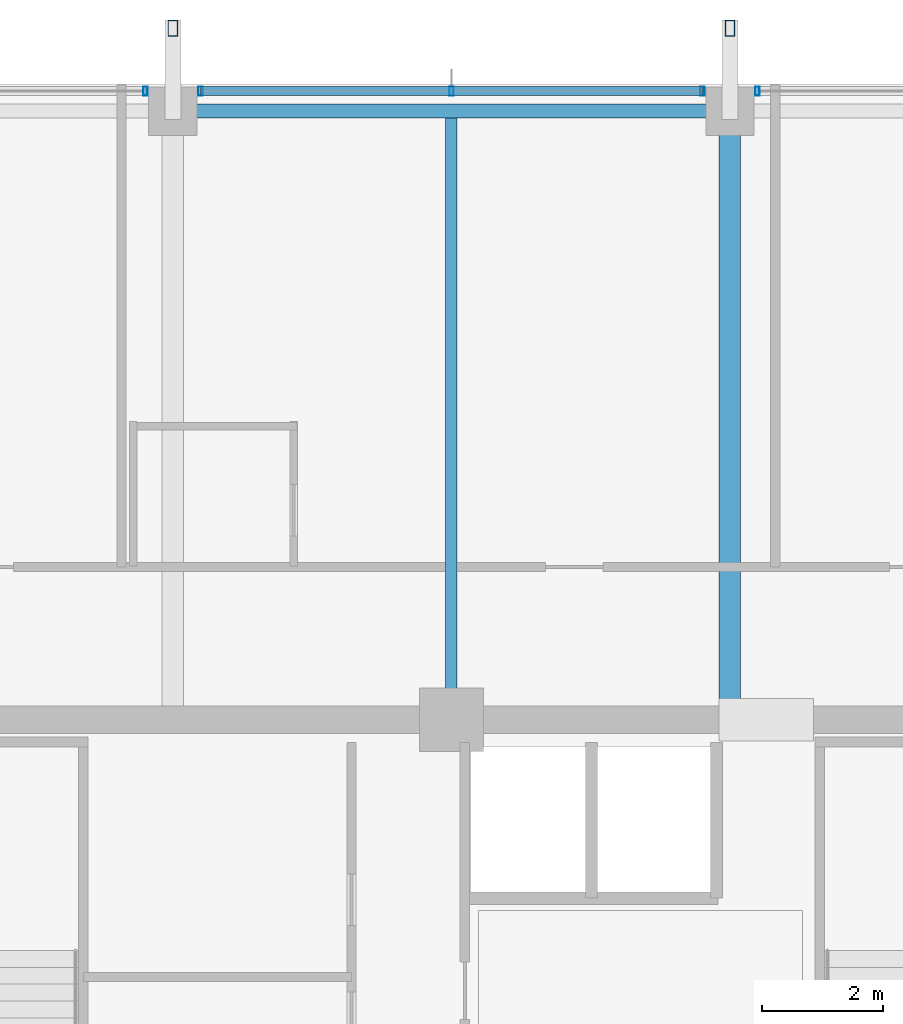
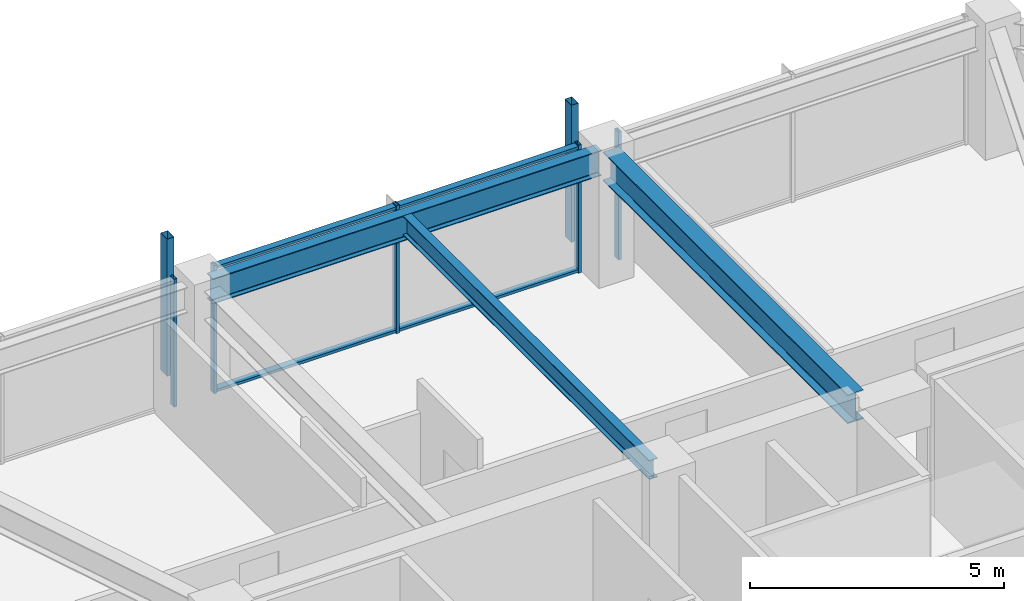
# One storey, part 17 of 33: 9 members, 3 beams, 3 elements without a shape of their own.
"""IFC4 building model written with IfcOpenShell, lengths in metres."""

from ifc_helpers import new_model, si_unit, direction, frame, origin, origin_2d, place, context, subcontext, project, spatial, hollow_rectangle, i_section, extrude, material, material_profile, profile_set, type_object, element, aggregate, save


model = new_model("IFC4")

# Units and contexts
model_context = context("Model", 3, precision=1e-05, world=origin(), true_north=direction((0.0, 1.0)))
body_context = subcontext(model_context, "Body", "Model", "MODEL_VIEW")
ifc_project = project(units=[si_unit("LENGTHUNIT", "METRE"), si_unit("AREAUNIT", "SQUARE_METRE"), si_unit("VOLUMEUNIT", "CUBIC_METRE"), si_unit("PLANEANGLEUNIT", "RADIAN"), si_unit("MASSUNIT", "GRAM", prefix="KILO")], contexts=[model_context])

# Site, building, storey
site_placement = place(None, origin())
site = spatial("IfcSite", under=ifc_project, at=site_placement, CompositionType="ELEMENT")
building_placement = place(site_placement, origin())
building = spatial("IfcBuilding", under=site, at=building_placement, Name="Kolvaren Belvedere", CompositionType="ELEMENT")
storey_placement = place(building_placement, frame((0.0, 0.0, 209.699951171875)))
storey = spatial("IfcBuildingStorey", under=building, at=storey_placement, Name="L61", CompositionType="ELEMENT", Elevation=209.699951171875)

# Beams
ifc_material_1 = material(Name="Structural steel ASTM A992 Grade 50", Category="steel")
ifc_material_profile_1 = material_profile(ifc_material_1, i_section(OverallWidth=0.35498046875, OverallDepth=0.696044921875, WebThickness=0.015380859375, FlangeThickness=0.02490234375, FilletRadius=0.02197265625, at=origin_2d()), Name="W27X146")
ifc_profile_set_1 = profile_set([ifc_material_profile_1], Name="Structural steel ASTM A992 Grade 50")
beam_type_1 = type_object("IfcBeamType", Name="BM-GIRD-W27X146", PredefinedType="BEAM", material=ifc_profile_set_1)
beam_1_placement = place(storey_placement, frame((4.60009765625, 10.125, 2.73193359375), z_axis=(0.0, 1.0, 0.0), x_axis=(-1.0, 0.0, 0.0)))
element("IfcBeam", 1, at=beam_1_placement, inside=storey, type_object=beam_type_1, Name="L61 North Radial Girder P", PredefinedType="BEAM", context=body_context, shape_type="SweptSolid", body=[
    extrude(i_section(OverallWidth=0.35498046875, OverallDepth=0.696044921875, WebThickness=0.015380859375, FlangeThickness=0.02490234375, FilletRadius=0.02197265625, at=origin_2d()), origin(), (0.0, 0.0, 1.0), 9.64501953125),
])
ifc_material_2 = material(Name="Structural steel ASTM A992 Grade 50", Category="steel")
ifc_material_profile_2 = material_profile(ifc_material_2, i_section(OverallWidth=0.19091796875, OverallDepth=0.4599609375, WebThickness=0.010009765625, FlangeThickness=0.01611328125, FilletRadius=0.014892578125, at=origin_2d()), Name="W18X55")
ifc_profile_set_2 = profile_set([ifc_material_profile_2], Name="Structural steel ASTM A992 Grade 50")
beam_type_2 = type_object("IfcBeamType", Name="BM-JOIST-W18X55", PredefinedType="BEAM", material=ifc_profile_set_2)
beam_2_placement = place(storey_placement, frame((0.0, 10.125, 2.85009765625), z_axis=(0.0, 1.0, 0.0), x_axis=(-1.0, 0.0, 0.0)))
element("IfcBeam", 2, at=beam_2_placement, inside=storey, type_object=beam_type_2, Name="L61 North Centre Floor Beam", PredefinedType="BEAM", context=body_context, shape_type="SweptSolid", body=[
    extrude(i_section(OverallWidth=0.19091796875, OverallDepth=0.4599609375, WebThickness=0.010009765625, FlangeThickness=0.01611328125, FilletRadius=0.014892578125, at=origin_2d()), origin(), (0.0, 0.0, 1.0), 9.71044921875),
])
ifc_material_3 = material(Name="Structural steel ASTM A992 Grade 50", Category="steel")
ifc_material_profile_3 = material_profile(ifc_material_3, i_section(OverallWidth=0.22900390625, OverallDepth=0.612060546875, WebThickness=0.011962890625, FlangeThickness=0.01953125, FilletRadius=0.01806640625, at=origin_2d()), Name="W24X84")
ifc_profile_set_3 = profile_set([ifc_material_profile_3], Name="Structural steel ASTM A992 Grade 50")
beam_type_3 = type_object("IfcBeamType", Name="BM-SPAN-W24X84", PredefinedType="SPANDREL", material=ifc_profile_set_3)
beam_3_placement = place(storey_placement, frame((4.419921875, 19.949951171875, 2.774169921875), z_axis=(-1.0, 0.0, 0.0), x_axis=(0.0, -1.0, 0.0)))
element("IfcBeam", 3, at=beam_3_placement, inside=storey, type_object=beam_type_3, Name="L61 Perimeter Spandrel N3-N2", PredefinedType="SPANDREL", context=body_context, shape_type="SweptSolid", body=[
    extrude(i_section(OverallWidth=0.22900390625, OverallDepth=0.612060546875, WebThickness=0.011962890625, FlangeThickness=0.01953125, FilletRadius=0.01806640625, at=origin_2d()), origin(), (0.0, 0.0, 1.0), 8.83984375),
])

# Curtain wall, member
ifc_material_4 = material(Name="Anodised pale-metal aluminium AA 6063-T6", Category="aluminium")
curtain_wall_type = type_object("IfcCurtainWallType", Name="CW-Z5-HIGH", PredefinedType="NOTDEFINED", material=ifc_material_4)
curtain_wall_1_placement = place(storey_placement, origin())
curtain_wall_1 = element("IfcCurtainWall", 4, at=curtain_wall_1_placement, inside=storey, type_object=curtain_wall_type, Name="L61 Unitised Curtain Wall FCW-L61-N-B1", PredefinedType="NOTDEFINED")
ifc_material_5 = material(Name="Anodised pale-metal aluminium AA 6063-T6", Category="aluminium")
ifc_material_profile_4 = material_profile(ifc_material_5, hollow_rectangle(XDim=0.070068359375, YDim=0.14990234375, WallThickness=0.004150390625, at=origin_2d()), Name="ALU-MUL-150X70")
ifc_profile_set_4 = profile_set([ifc_material_profile_4], Name="Anodised pale-metal aluminium AA 6063-T6")
member_type_1 = type_object("IfcMemberType", Name="CW-MUL-150", PredefinedType="MULLION", material=ifc_profile_set_4)
member_1_placement = place(storey_placement, frame((-5.054931640625, 20.280029296875, 0.0), z_axis=(0.0, 0.0, 1.0), x_axis=(1.0, 0.0, 0.0)))
member_1 = element("IfcMember", 5, at=member_1_placement, type_object=member_type_1, Name="FCW-L61-N-B1 Unitised Mullion 3", PredefinedType="MULLION", context=body_context, shape_type="SweptSolid", body=[
    extrude(hollow_rectangle(XDim=0.070068359375, YDim=0.14990234375, WallThickness=0.004150390625, at=origin_2d()), origin(), (0.0, 0.0, 1.0), 3.080078125),
])
aggregate(curtain_wall_1, [member_1])

# Curtain wall, members
curtain_wall_2_placement = place(storey_placement, origin())
curtain_wall_2 = element("IfcCurtainWall", 6, at=curtain_wall_2_placement, inside=storey, type_object=curtain_wall_type, Name="L61 Unitised Curtain Wall FCW-L61-N-B2", PredefinedType="NOTDEFINED")
member_2_placement = place(storey_placement, frame((-4.14501953125, 20.280029296875, 0.0), z_axis=(0.0, 0.0, 1.0), x_axis=(1.0, 0.0, 0.0)))
member_2 = element("IfcMember", 7, at=member_2_placement, type_object=member_type_1, Name="FCW-L61-N-B2 Unitised Mullion 1", PredefinedType="MULLION", context=body_context, shape_type="SweptSolid", body=[
    extrude(hollow_rectangle(XDim=0.070068359375, YDim=0.14990234375, WallThickness=0.004150390625, at=origin_2d()), origin(), (0.0, 0.0, 1.0), 3.080078125),
])
member_3_placement = place(storey_placement, frame((0.0, 20.280029296875, 0.0), z_axis=(0.0, 0.0, 1.0), x_axis=(1.0, 0.0, 0.0)))
member_3 = element("IfcMember", 8, at=member_3_placement, type_object=member_type_1, Name="FCW-L61-N-B2 Unitised Mullion 2", PredefinedType="MULLION", context=body_context, shape_type="SweptSolid", body=[
    extrude(hollow_rectangle(XDim=0.070068359375, YDim=0.14990234375, WallThickness=0.004150390625, at=origin_2d()), origin(), (0.0, 0.0, 1.0), 3.080078125),
])
member_4_placement = place(storey_placement, frame((4.14501953125, 20.280029296875, 0.0), z_axis=(0.0, 0.0, 1.0), x_axis=(1.0, 0.0, 0.0)))
member_4 = element("IfcMember", 9, at=member_4_placement, type_object=member_type_1, Name="FCW-L61-N-B2 Unitised Mullion 3", PredefinedType="MULLION", context=body_context, shape_type="SweptSolid", body=[
    extrude(hollow_rectangle(XDim=0.070068359375, YDim=0.14990234375, WallThickness=0.004150390625, at=origin_2d()), origin(), (0.0, 0.0, 1.0), 3.080078125),
])

# Curtain wall, member
curtain_wall_3_placement = place(storey_placement, origin())
curtain_wall_3 = element("IfcCurtainWall", 10, at=curtain_wall_3_placement, inside=storey, type_object=curtain_wall_type, Name="L61 Unitised Curtain Wall FCW-L61-N-B3", PredefinedType="NOTDEFINED")
member_5_placement = place(storey_placement, frame((5.054931640625, 20.280029296875, 0.0), z_axis=(0.0, 0.0, 1.0), x_axis=(1.0, 0.0, 0.0)))
member_5 = element("IfcMember", 11, at=member_5_placement, type_object=member_type_1, Name="FCW-L61-N-B3 Unitised Mullion 1", PredefinedType="MULLION", context=body_context, shape_type="SweptSolid", body=[
    extrude(hollow_rectangle(XDim=0.070068359375, YDim=0.14990234375, WallThickness=0.004150390625, at=origin_2d()), origin(), (0.0, 0.0, 1.0), 3.080078125),
])
aggregate(curtain_wall_3, [member_5])

# Member
ifc_material_6 = material(Name="Anodised pale-metal aluminium AA 6063-T6", Category="aluminium")
ifc_material_profile_5 = material_profile(ifc_material_6, hollow_rectangle(XDim=0.06494140625, YDim=0.14990234375, WallThickness=0.00390625, at=origin_2d()), Name="ALU-TRN-150X65")
ifc_profile_set_5 = profile_set([ifc_material_profile_5], Name="Anodised pale-metal aluminium AA 6063-T6")
member_type_2 = type_object("IfcMemberType", Name="CW-TRN-150", PredefinedType="USERDEFINED", material=ifc_profile_set_5)
member_6_placement = place(storey_placement, frame((-4.14501953125, 20.280029296875, 0.06005859375), z_axis=(1.0, 0.0, 0.0), x_axis=(0.0, 0.0, 1.0)))
member_6 = element("IfcMember", 12, at=member_6_placement, type_object=member_type_2, Name="FCW-L61-N-B2 Sill Transom", ObjectType="TRANSOM", PredefinedType="USERDEFINED", context=body_context, shape_type="SweptSolid", body=[
    extrude(hollow_rectangle(XDim=0.06494140625, YDim=0.14990234375, WallThickness=0.00390625, at=origin_2d()), origin(), (0.0, 0.0, 1.0), 8.2900390625),
])

member_7_placement = place(storey_placement, frame((-4.14501953125, 20.280029296875, 3.02001953125), z_axis=(1.0, 0.0, 0.0), x_axis=(0.0, 0.0, 1.0)))
member_7 = element("IfcMember", 13, at=member_7_placement, type_object=member_type_2, Name="FCW-L61-N-B2 Head Transom", ObjectType="TRANSOM", PredefinedType="USERDEFINED", context=body_context, shape_type="SweptSolid", body=[
    extrude(hollow_rectangle(XDim=0.06494140625, YDim=0.14990234375, WallThickness=0.00390625, at=origin_2d()), origin(), (0.0, 0.0, 1.0), 8.2900390625),
])

aggregate(curtain_wall_2, [member_2, member_3, member_4, member_6, member_7])

# Members
ifc_material_7 = material(Name="Anodised pale-metal aluminium AA 6063-T6", Category="aluminium")
ifc_material_profile_6 = material_profile(ifc_material_7, hollow_rectangle(XDim=0.159912109375, YDim=0.260009765625, WallThickness=0.006591796875, at=origin_2d()), Name="ALU-PF-260X160")
ifc_profile_set_6 = profile_set([ifc_material_profile_6], Name="Anodised pale-metal aluminium AA 6063-T6")
member_type_3 = type_object("IfcMemberType", Name="PF-FRAME-260", PredefinedType="USERDEFINED", material=ifc_profile_set_6)
for number, where, z_axis, x_axis, name in (
    (14, (-4.60009765625, 21.320068359375, 0.0), (0.0, 0.0, 1.0), (1.0, 0.0, 0.0), "L61 Outboard Picture-Frame Vertical N1"),
    (15, (4.60009765625, 21.320068359375, 0.0), (0.0, 0.0, 1.0), (1.0, 0.0, 0.0), "L61 Outboard Picture-Frame Vertical N2"),
):
    element("IfcMember", number, at=place(storey_placement, frame(where, z_axis=z_axis, x_axis=x_axis)), inside=storey, type_object=member_type_3, Name=name, ObjectType="PICTURE FRAME FIN", PredefinedType="USERDEFINED", context=body_context, shape_type="SweptSolid", body=[
        extrude(hollow_rectangle(XDim=0.159912109375, YDim=0.260009765625, WallThickness=0.006591796875, at=origin_2d()), origin(), (0.0, 0.0, 1.0), 3.300048828125),
    ])

save(model, "model.ifc")
